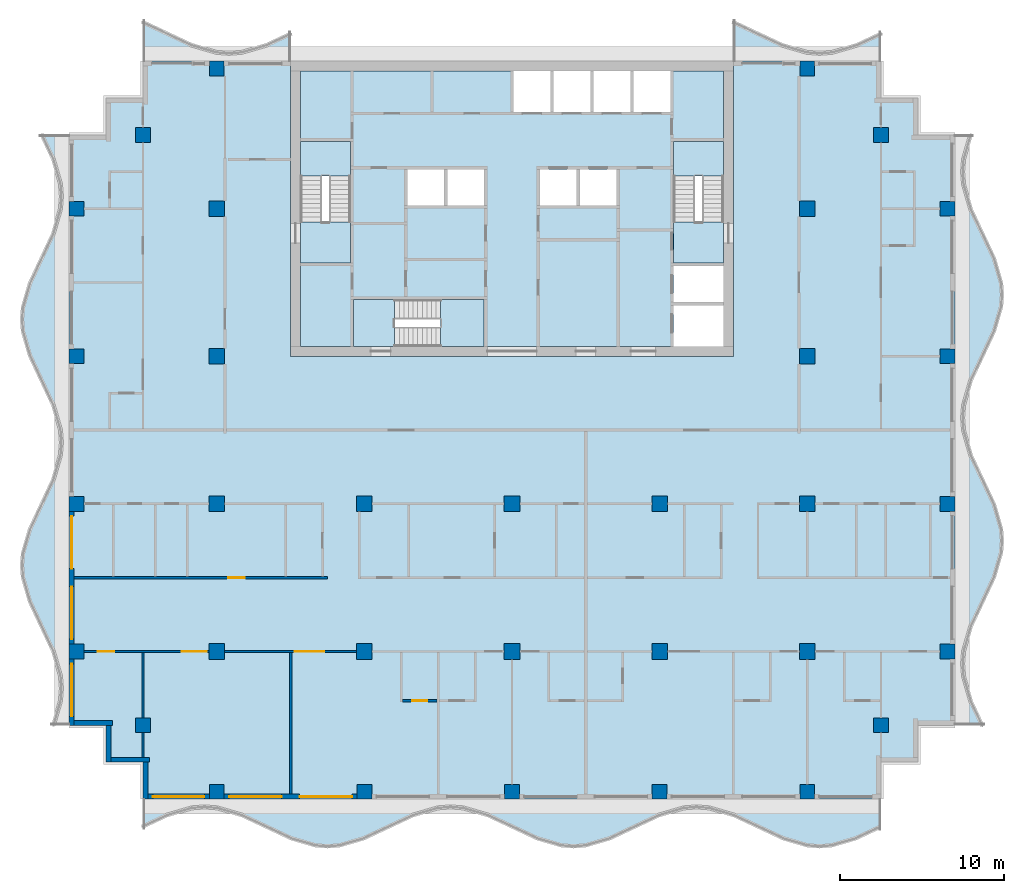
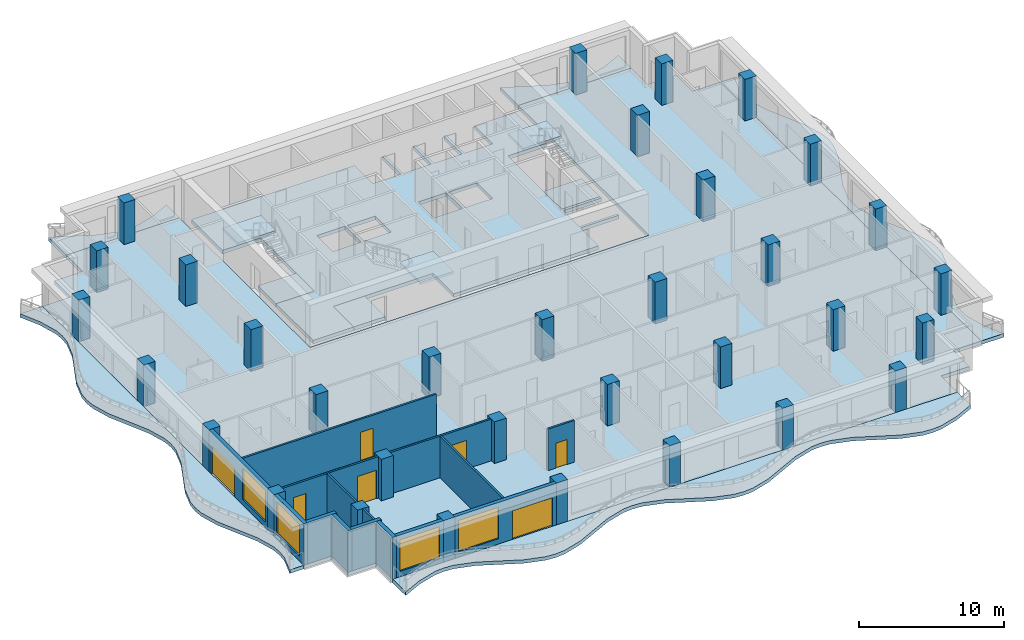
# One storey, part 1 of 11: 33 columns, 15 walls, 13 slabs, 7 doors, 4 windows, 11 openings, 3 elements without a shape of their own.
"""IFC4 building model written with IfcOpenShell, lengths in metres."""

from ifc_helpers import new_model, si_unit, direction, frame, frame_2d, origin, origin_2d, place, context, subcontext, project, spatial, polyline, rectangle, outline, extrude, material, layer, layer_set, material_profile, profile_set, type_object, element, fill, aggregate, save


model = new_model("IFC4")

# Units and contexts
model_context = context("Model", 3, precision=1e-05, world=origin(), true_north=direction((0.0, 1.0)))
body_context = subcontext(model_context, "Body", "Model", "MODEL_VIEW")
ifc_project = project(units=[si_unit("LENGTHUNIT", "METRE"), si_unit("AREAUNIT", "SQUARE_METRE"), si_unit("VOLUMEUNIT", "CUBIC_METRE"), si_unit("PLANEANGLEUNIT", "RADIAN"), si_unit("MASSUNIT", "GRAM", prefix="KILO")], contexts=[model_context])

# Site, building, storey
site_placement = place(None, origin())
site = spatial("IfcSite", under=ifc_project, at=site_placement, CompositionType="ELEMENT")
building_placement = place(site_placement, origin())
building = spatial("IfcBuilding", under=site, at=building_placement, Name="Orbiselva Terraces", CompositionType="ELEMENT")
storey_placement = place(building_placement, frame((0.0, 0.0, 257.8)))
storey = spatial("IfcBuildingStorey", under=building, at=storey_placement, Name="L65", CompositionType="ELEMENT", Elevation=257.8)

# Columns
ifc_material_1 = material(Name="Concrete C50/60", Category="concrete")
ifc_material_profile_1 = material_profile(ifc_material_1, rectangle(XDim=0.95, YDim=0.95, at=origin_2d()), Name="RC 950x950")
ifc_profile_set_1 = profile_set([ifc_material_profile_1], Name="Concrete C50/60")
column_type_1 = type_object("IfcColumnType", Name="COLUMN RC 950x950", PredefinedType="COLUMN", material=ifc_profile_set_1)
for number, where, z_axis, x_axis, name in (
    (1, (-18.0, -13.5, 0.0), (0.0, 0.0, 1.0), (1.0, 0.0, 0.0), "Column L65-01"),
    (2, (-18.0, -4.5, 0.0), (0.0, 0.0, 1.0), (1.0, 0.0, 0.0), "Column L65-03"),
    (3, (-18.0, 13.5, 0.0), (0.0, 0.0, 1.0), (1.0, 0.0, 0.0), "Column L65-04"),
    (4, (-18.0, 4.5, 0.0), (0.0, 0.0, 1.0), (1.0, 0.0, 0.0), "Column L65-06"),
    (5, (-9.0, -13.5, 0.0), (0.0, 0.0, 1.0), (1.0, 0.0, 0.0), "Column L65-13"),
    (6, (-9.0, -4.5, 0.0), (0.0, 0.0, 1.0), (1.0, 0.0, 0.0), "Column L65-15"),
    (7, (0.0, -13.5, 0.0), (0.0, 0.0, 1.0), (1.0, 0.0, 0.0), "Column L65-16"),
    (8, (0.0, -4.5, 0.0), (0.0, 0.0, 1.0), (1.0, 0.0, 0.0), "Column L65-18"),
    (9, (18.0, -13.5, 0.0), (0.0, 0.0, 1.0), (1.0, 0.0, 0.0), "Column L65-19"),
    (10, (18.0, -4.5, 0.0), (0.0, 0.0, 1.0), (1.0, 0.0, 0.0), "Column L65-21"),
    (11, (18.0, 13.5, 0.0), (0.0, 0.0, 1.0), (1.0, 0.0, 0.0), "Column L65-22"),
    (12, (18.0, 4.5, 0.0), (0.0, 0.0, 1.0), (1.0, 0.0, 0.0), "Column L65-24"),
    (13, (9.0, -13.5, 0.0), (0.0, 0.0, 1.0), (1.0, 0.0, 0.0), "Column L65-31"),
    (14, (9.0, -4.5, 0.0), (0.0, 0.0, 1.0), (1.0, 0.0, 0.0), "Column L65-33"),
):
    element("IfcColumn", number, at=place(storey_placement, frame(where, z_axis=z_axis, x_axis=x_axis)), inside=storey, type_object=column_type_1, Name=name, PredefinedType="COLUMN", context=body_context, shape_type="SweptSolid", body=[
        extrude(rectangle(XDim=0.95, YDim=0.95, at=origin_2d()), origin(), (0.0, 0.0, 1.0), 3.5),
    ])
ifc_material_profile_2 = material_profile(ifc_material_1, rectangle(XDim=0.9, YDim=0.9, at=origin_2d()), Name="RC 900x900")
ifc_profile_set_2 = profile_set([ifc_material_profile_2], Name="Concrete C50/60")
column_type_2 = type_object("IfcColumnType", Name="PERIMETER COLUMN RC 900x900", PredefinedType="COLUMN", material=ifc_profile_set_2)
for number, where, z_axis, x_axis, name in (
    (15, (-18.0, -22.05, 0.0), (0.0, 0.0, 1.0), (1.0, 0.0, 0.0), "Column L65-02"),
    (16, (-18.0, 22.05, 0.0), (0.0, 0.0, 1.0), (1.0, 0.0, 0.0), "Column L65-05"),
    (17, (-26.55, -13.5, 0.0), (0.0, 0.0, 1.0), (1.0, 0.0, 0.0), "Column L65-07"),
    (18, (-22.5, -18.0, 0.0), (0.0, 0.0, 1.0), (1.0, 0.0, 0.0), "Column L65-08"),
    (19, (-26.55, -4.5, 0.0), (0.0, 0.0, 1.0), (1.0, 0.0, 0.0), "Column L65-09"),
    (20, (-26.55, 13.5, 0.0), (0.0, 0.0, 1.0), (1.0, 0.0, 0.0), "Column L65-10"),
    (21, (-22.5, 18.0, 0.0), (0.0, 0.0, 1.0), (1.0, 0.0, 0.0), "Column L65-11"),
    (22, (-26.55, 4.5, 0.0), (0.0, 0.0, 1.0), (1.0, 0.0, 0.0), "Column L65-12"),
    (23, (-9.0, -22.05, 0.0), (0.0, 0.0, 1.0), (1.0, 0.0, 0.0), "Column L65-14"),
    (24, (0.0, -22.05, 0.0), (0.0, 0.0, 1.0), (1.0, 0.0, 0.0), "Column L65-17"),
    (25, (18.0, -22.05, 0.0), (0.0, 0.0, 1.0), (1.0, 0.0, 0.0), "Column L65-20"),
    (26, (18.0, 22.05, 0.0), (0.0, 0.0, 1.0), (1.0, 0.0, 0.0), "Column L65-23"),
    (27, (26.55, -13.5, 0.0), (0.0, 0.0, 1.0), (1.0, 0.0, 0.0), "Column L65-25"),
    (28, (22.5, -18.0, 0.0), (0.0, 0.0, 1.0), (1.0, 0.0, 0.0), "Column L65-26"),
    (29, (26.55, -4.5, 0.0), (0.0, 0.0, 1.0), (1.0, 0.0, 0.0), "Column L65-27"),
    (30, (26.55, 13.5, 0.0), (0.0, 0.0, 1.0), (1.0, 0.0, 0.0), "Column L65-28"),
    (31, (22.5, 18.0, 0.0), (0.0, 0.0, 1.0), (1.0, 0.0, 0.0), "Column L65-29"),
    (32, (26.55, 4.5, 0.0), (0.0, 0.0, 1.0), (1.0, 0.0, 0.0), "Column L65-30"),
    (33, (9.0, -22.05, 0.0), (0.0, 0.0, 1.0), (1.0, 0.0, 0.0), "Column L65-32"),
):
    element("IfcColumn", number, at=place(storey_placement, frame(where, z_axis=z_axis, x_axis=x_axis)), inside=storey, type_object=column_type_2, Name=name, PredefinedType="COLUMN", context=body_context, shape_type="SweptSolid", body=[
        extrude(rectangle(XDim=0.9, YDim=0.9, at=origin_2d()), origin(), (0.0, 0.0, 1.0), 3.5),
    ])

# Slabs
ifc_material_2 = material(Name="Concrete C40/50", Category="concrete")
ifc_layer_1 = layer(ifc_material_2, 0.3)
ifc_layer_set_1 = layer_set([ifc_layer_1], Name="Concrete C40/50")
slab_type_1 = type_object("IfcSlabType", Name="CORE-SLAB-FLOOR-300", PredefinedType="FLOOR", material=ifc_layer_set_1)
slab_1_placement = place(storey_placement, frame((0.0, 0.0, -0.3)))
element("IfcSlab", 34, at=slab_1_placement, inside=storey, type_object=slab_type_1, Name="L65 S1 floor landing", PredefinedType="FLOOR", context=body_context, shape_type="SweptSolid", body=[
    extrude(outline(polyline([(-12.9, 12.7), (-9.85, 12.7), (-9.85, 10.2), (-12.9, 10.2), (-12.9, 12.7)])), origin(), (0.0, 0.0, 1.0), 0.3),
])
slab_2_placement = place(storey_placement, frame((0.0, 0.0, -0.3)))
element("IfcSlab", 35, at=slab_2_placement, inside=storey, type_object=slab_type_1, Name="L65 S2 floor landing", PredefinedType="FLOOR", context=body_context, shape_type="SweptSolid", body=[
    extrude(outline(polyline([(12.9, 12.7), (12.9, 10.2), (9.85, 10.2), (9.85, 12.7), (12.9, 12.7)])), origin(), (0.0, 0.0, 1.0), 0.3),
])
slab_3_placement = place(storey_placement, frame((0.0, 0.0, -0.3)))
element("IfcSlab", 36, at=slab_3_placement, inside=storey, type_object=slab_type_1, Name="L65 S3 floor landing", PredefinedType="FLOOR", context=body_context, shape_type="SweptSolid", body=[
    extrude(outline(polyline([(-7.15, 5.1), (-9.65, 5.1), (-9.65, 7.95), (-7.15, 7.95), (-7.15, 5.1)])), origin(), (0.0, 0.0, 1.0), 0.3),
])
slab_4_placement = place(storey_placement, frame((0.0, 0.0, -0.3)))
element("IfcSlab", 37, at=slab_4_placement, inside=storey, type_object=slab_type_1, Name="L65 core floor slab 1", PredefinedType="FLOOR", context=body_context, shape_type="SweptSolid", body=[
    extrude(outline(polyline([(-1.7, 5.1), (-1.7, 7.95), (-9.65, 7.95), (-9.65, 5.1), (-12.9, 5.1), (-12.9, 10.2), (-9.85, 10.2), (-9.85, 17.6), (-12.9, 17.6), (-12.9, 21.9), (0.1, 21.9), (0.1, 19.4), (2.3375, 19.4), (2.3375, 21.9), (2.5375, 21.9), (2.5375, 19.4), (4.775, 19.4), (4.775, 21.9), (4.975, 21.9), (4.975, 19.4), (7.2125, 19.4), (7.2125, 21.9), (7.4125, 21.9), (7.4125, 19.4), (9.65, 19.4), (9.65, 21.9), (12.9, 21.9), (12.9, 17.6), (9.85, 17.6), (9.85, 10.2), (12.9, 10.2), (12.9, 10.0), (9.85, 10.0), (9.85, 7.8), (12.9, 7.8), (12.9, 7.6), (9.85, 7.6), (9.85, 5.1), (-1.7, 5.1)]), holes=[polyline([(-4.1375, 13.7), (-4.1375, 15.9), (-6.375, 15.9), (-6.375, 13.7), (-4.1375, 13.7)]), polyline([(-1.7, 13.7), (-1.7, 15.9), (-3.9375, 15.9), (-3.9375, 13.7), (-1.7, 13.7)]), polyline([(3.9375, 15.9), (1.7, 15.9), (1.7, 13.7), (3.9375, 13.7), (3.9375, 15.9)]), polyline([(6.375, 13.7), (6.375, 15.9), (4.1375, 15.9), (4.1375, 13.7), (6.375, 13.7)])]), origin(), (0.0, 0.0, 1.0), 0.3),
])

# Stair, slab
stair_type_1 = type_object("IfcStairType", Name="CORE-STAIR-1300", PredefinedType="HALF_TURN_STAIR", material=ifc_material_2)
stair_1_placement = place(storey_placement, origin())
stair_1 = element("IfcStair", 38, at=stair_1_placement, inside=storey, type_object=stair_type_1, Name="L65 Exit Stair S1", PredefinedType="HALF_TURN_STAIR")
ifc_layer_2 = layer(ifc_material_2, 0.2)
ifc_layer_set_2 = layer_set([ifc_layer_2], Name="Concrete C40/50")
slab_type_2 = type_object("IfcSlabType", Name="CORE-STAIR-LANDING-200", PredefinedType="LANDING", material=ifc_layer_set_2)
slab_5_placement = place(storey_placement, frame((0.0, 0.0, 1.7)))
slab_5 = element("IfcSlab", 39, at=slab_5_placement, type_object=slab_type_2, Name="S1 landing 1", PredefinedType="LANDING", context=body_context, shape_type="SweptSolid", body=[
    extrude(outline(polyline([(-9.85, 15.5), (-9.85, 17.6), (-12.9, 17.6), (-12.9, 15.5), (-9.85, 15.5)])), origin(), (0.0, 0.0, 1.0), 0.2),
])
aggregate(stair_1, [slab_5])

stair_2_placement = place(storey_placement, origin())
stair_2 = element("IfcStair", 40, at=stair_2_placement, inside=storey, type_object=stair_type_1, Name="L65 Exit Stair S2", PredefinedType="HALF_TURN_STAIR")
slab_6_placement = place(storey_placement, frame((0.0, 0.0, 1.7)))
slab_6 = element("IfcSlab", 41, at=slab_6_placement, type_object=slab_type_2, Name="S2 landing 1", PredefinedType="LANDING", context=body_context, shape_type="SweptSolid", body=[
    extrude(outline(polyline([(12.9, 15.5), (12.9, 17.6), (9.85, 17.6), (9.85, 15.5), (12.9, 15.5)])), origin(), (0.0, 0.0, 1.0), 0.2),
])
aggregate(stair_2, [slab_6])

stair_type_2 = type_object("IfcStairType", Name="CORE-STAIR-1200", PredefinedType="HALF_TURN_STAIR", material=ifc_material_2)
stair_3_placement = place(storey_placement, origin())
stair_3 = element("IfcStair", 42, at=stair_3_placement, inside=storey, type_object=stair_type_2, Name="L65 Exit Stair S3", PredefinedType="HALF_TURN_STAIR")
slab_7_placement = place(storey_placement, frame((0.0, 0.0, 1.7)))
slab_7 = element("IfcSlab", 43, at=slab_7_placement, type_object=slab_type_2, Name="S3 landing 1", PredefinedType="LANDING", context=body_context, shape_type="SweptSolid", body=[
    extrude(outline(polyline([(-4.35, 5.1), (-1.7, 5.1), (-1.7, 7.95), (-4.35, 7.95), (-4.35, 5.1)])), origin(), (0.0, 0.0, 1.0), 0.2),
])
aggregate(stair_3, [slab_7])

# Slabs
ifc_layer_3 = layer(ifc_material_1, 0.3)
ifc_layer_set_3 = layer_set([ifc_layer_3], Name="Concrete C50/60")
slab_type_3 = type_object("IfcSlabType", Name="ENV-BALCONY-SLAB-300", PredefinedType="FLOOR", material=ifc_layer_set_3)
slab_8_placement = place(storey_placement, frame((0.0, 0.0, -0.3)))
element("IfcSlab", 44, at=slab_8_placement, inside=storey, type_object=slab_type_3, Name="Balcony slab L65 S", PredefinedType="FLOOR", context=body_context, shape_type="SweptSolid", body=[
    extrude(outline(polyline([(-22.5, -24.3), (-21.0, -23.594658), (-19.5, -23.158732), (-18.75, -23.1), (-18.0, -23.158732), (-16.5, -23.594658), (-13.5, -25.005342), (-12.0, -25.441268), (-11.25, -25.5), (-10.5, -25.441268), (-9.0, -25.005342), (-6.0, -23.594658), (-4.5, -23.158732), (-3.75, -23.1), (-3.0, -23.158732), (-1.5, -23.594658), (1.5, -25.005342), (3.0, -25.441268), (3.75, -25.5), (4.5, -25.441268), (6.0, -25.005342), (9.0, -23.594658), (10.5, -23.158732), (11.25, -23.1), (12.0, -23.158732), (13.5, -23.594658), (16.5, -25.005342), (18.0, -25.441268), (18.75, -25.5), (19.5, -25.441268), (21.0, -25.005342), (22.5, -24.3), (22.5, -22.5), (-22.5, -22.5), (-22.5, -24.3)])), origin(), (0.0, 0.0, 1.0), 0.3),
])
slab_9_placement = place(storey_placement, frame((0.0, 0.0, -0.3)))
element("IfcSlab", 45, at=slab_9_placement, inside=storey, type_object=slab_type_3, Name="Balcony slab L65 E", PredefinedType="FLOOR", context=body_context, shape_type="SweptSolid", body=[
    extrude(outline(polyline([(28.8, -18.0), (28.094658, -16.5), (27.658732, -15.0), (27.6, -14.25), (27.658732, -13.5), (28.094658, -12.0), (29.505342, -9.0), (29.941268, -7.5), (30.0, -6.75), (29.941268, -6.0), (29.505342, -4.5), (28.094658, -1.5), (27.658732, 0.0), (27.6, 0.75), (27.658732, 1.5), (28.094658, 3.0), (29.505342, 6.0), (29.941268, 7.5), (30.0, 8.25), (29.941268, 9.0), (29.505342, 10.5), (28.094658, 13.5), (27.658732, 15.0), (27.6, 15.75), (27.658732, 16.5), (28.094658, 18.0), (27.0, 18.0), (27.0, -18.0), (28.8, -18.0)])), origin(), (0.0, 0.0, 1.0), 0.3),
])
slab_10_placement = place(storey_placement, frame((0.0, 0.0, -0.3)))
element("IfcSlab", 46, at=slab_10_placement, inside=storey, type_object=slab_type_3, Name="Balcony slab L65 NE", PredefinedType="FLOOR", context=body_context, shape_type="SweptSolid", body=[
    extrude(outline(polyline([(22.5, 24.3), (21.0, 23.594658), (19.5, 23.158732), (18.75, 23.1), (18.0, 23.158732), (16.5, 23.594658), (13.5, 25.005342), (13.5, 22.5), (22.5, 22.5), (22.5, 24.3)])), origin(), (0.0, 0.0, 1.0), 0.3),
])
slab_11_placement = place(storey_placement, frame((0.0, 0.0, -0.3)))
element("IfcSlab", 47, at=slab_11_placement, inside=storey, type_object=slab_type_3, Name="Balcony slab L65 NW", PredefinedType="FLOOR", context=body_context, shape_type="SweptSolid", body=[
    extrude(outline(polyline([(-13.5, 24.3), (-15.0, 23.594658), (-16.5, 23.158732), (-17.25, 23.1), (-18.0, 23.158732), (-19.5, 23.594658), (-22.5, 25.005342), (-22.5, 22.5), (-13.5, 22.5), (-13.5, 24.3)])), origin(), (0.0, 0.0, 1.0), 0.3),
])
slab_12_placement = place(storey_placement, frame((0.0, 0.0, -0.3)))
element("IfcSlab", 48, at=slab_12_placement, inside=storey, type_object=slab_type_3, Name="Balcony slab L65 W", PredefinedType="FLOOR", context=body_context, shape_type="SweptSolid", body=[
    extrude(outline(polyline([(-28.8, 18.0), (-28.094658, 16.5), (-27.658732, 15.0), (-27.6, 14.25), (-27.658732, 13.5), (-28.094658, 12.0), (-29.505342, 9.0), (-29.941268, 7.5), (-30.0, 6.75), (-29.941268, 6.0), (-29.505342, 4.5), (-28.094658, 1.5), (-27.658732, 0.0), (-27.6, -0.75), (-27.658732, -1.5), (-28.094658, -3.0), (-29.505342, -6.0), (-29.941268, -7.5), (-30.0, -8.25), (-29.941268, -9.0), (-29.505342, -10.5), (-28.094658, -13.5), (-27.658732, -15.0), (-27.6, -15.75), (-27.658732, -16.5), (-28.094658, -18.0), (-27.0, -18.0), (-27.0, 18.0), (-28.8, 18.0)])), origin(), (0.0, 0.0, 1.0), 0.3),
])
ifc_layer_4 = layer(ifc_material_1, 0.3)
ifc_layer_set_4 = layer_set([ifc_layer_4], Name="Concrete C50/60")
slab_type_4 = type_object("IfcSlabType", Name="FLOOR SLAB 300", PredefinedType="FLOOR", material=ifc_layer_set_4)
slab_13_placement = place(storey_placement, frame((0.0, 0.0, -0.3)))
element("IfcSlab", 49, at=slab_13_placement, inside=storey, type_object=slab_type_4, Name="Floor slab L65", PredefinedType="FLOOR", context=body_context, shape_type="SweptSolid", body=[
    extrude(outline(polyline([(22.5, 22.5), (22.5, 20.25), (24.75, 20.25), (24.75, 18.0), (27.0, 18.0), (27.0, -18.0), (24.75, -18.0), (24.75, -20.25), (22.5, -20.25), (22.5, -22.5), (-22.5, -22.5), (-22.5, -20.25), (-24.75, -20.25), (-24.75, -18.0), (-27.0, -18.0), (-27.0, 18.0), (-24.75, 18.0), (-24.75, 20.25), (-22.5, 20.25), (-22.5, 22.5), (-13.5, 22.5), (-13.5, 4.5), (13.5, 4.5), (13.5, 22.5), (22.5, 22.5)])), origin(), (0.0, 0.0, 1.0), 0.3),
])

# Wall, opening, window
ifc_material_3 = material(Name="Terracotta cladding on masonry backing", Category="masonry")
ifc_layer_5 = layer(ifc_material_3, 0.3)
ifc_layer_set_5 = layer_set([ifc_layer_5], Name="Terracotta cladding on masonry backing")
wall_type_1 = type_object("IfcWallType", Name="ENV-WALL-TERRACOTTA-300", PredefinedType="SOLIDWALL", material=ifc_layer_set_5)
wall_1_placement = place(storey_placement, frame((-18.45, -22.35, 0.0), z_axis=(0.0, 0.0, 1.0), x_axis=(-1.0, 0.0, 0.0)))
wall_1 = element("IfcWall", 50, at=wall_1_placement, inside=storey, type_object=wall_type_1, Name="Facade wall L65 S", PredefinedType="SOLIDWALL", context=body_context, shape_type="SweptSolid", body=[
    extrude(rectangle(XDim=3.75, YDim=0.3, at=frame_2d((1.875, 0.0))), origin(), (0.0, 0.0, 1.0), 3.5),
])
opening_1_placement = place(wall_1_placement, frame((0.3, 0.0, 0.45)))
opening_1 = element("IfcOpeningElement", 51, at=opening_1_placement, cuts=wall_1, Name="Opening WN16", PredefinedType="OPENING", context=body_context, shape_type="SweptSolid", body=[
    extrude(rectangle(XDim=3.15, YDim=2.65, at=frame_2d((1.575, 1.325))), frame((0.0, 0.16, 0.0), z_axis=(0.0, -1.0, 0.0), x_axis=(1.0, 0.0, 0.0)), (0.0, 0.0, 1.0), 0.32),
])
ifc_material_4 = material(Name="Clear low-e glazing in aluminium frame", Category="aluminium")
window_type_1 = type_object("IfcWindowType", Name="WINDOW 3150 X 2650 S450", PartitioningType="TRIPLE_PANEL_VERTICAL", PredefinedType="WINDOW", material=ifc_material_4)
window_1_placement = place(opening_1_placement, origin())
window_1 = element("IfcWindow", 52, at=window_1_placement, inside=storey, type_object=window_type_1, Name="Window L65 S", OverallHeight=2.65, OverallWidth=3.15, PartitioningType="SINGLE_PANEL", PredefinedType="WINDOW", context=body_context, shape_type="SweptSolid", body=[
    extrude(rectangle(XDim=3.15, YDim=2.65, at=frame_2d((1.575, 1.325))), frame((0.0, 0.03, 0.0), z_axis=(0.0, -1.0, 0.0), x_axis=(1.0, 0.0, 0.0)), (0.0, 0.0, 1.0), 0.06),
])
fill(opening_1, window_1)

# Wall, openings, door, window
wall_2_placement = place(storey_placement, frame((-9.45, -22.35, 0.0), z_axis=(0.0, 0.0, 1.0), x_axis=(-1.0, 0.0, 0.0)))
wall_2 = element("IfcWall", 53, at=wall_2_placement, inside=storey, type_object=wall_type_1, Name="Facade wall L65 S", PredefinedType="SOLIDWALL", context=body_context, shape_type="SweptSolid", body=[
    extrude(rectangle(XDim=8.1, YDim=0.3, at=frame_2d((4.05, 0.0))), origin(), (0.0, 0.0, 1.0), 3.5),
])
opening_2_placement = place(wall_2_placement, frame((4.6, 0.0, 0.45)))
opening_2 = element("IfcOpeningElement", 54, at=opening_2_placement, cuts=wall_2, Name="Opening WN17", PredefinedType="OPENING", context=body_context, shape_type="SweptSolid", body=[
    extrude(rectangle(XDim=3.2, YDim=2.65, at=frame_2d((1.6, 1.325))), frame((0.0, 0.16, 0.0), z_axis=(0.0, -1.0, 0.0), x_axis=(1.0, 0.0, 0.0)), (0.0, 0.0, 1.0), 0.32),
])
opening_3_placement = place(wall_2_placement, frame((0.3, 0.0, 0.0)))
opening_3 = element("IfcOpeningElement", 55, at=opening_3_placement, cuts=wall_2, Name="Opening Z5-B-E13", PredefinedType="OPENING", context=body_context, shape_type="SweptSolid", body=[
    extrude(rectangle(XDim=3.2, YDim=2.4, at=frame_2d((1.6, 1.2))), frame((0.0, 0.16, 0.0), z_axis=(0.0, -1.0, 0.0), x_axis=(1.0, 0.0, 0.0)), (0.0, 0.0, 1.0), 0.32),
])
door_type_1 = type_object("IfcDoorType", Name="BALCONY DOOR 3200 X 2400", OperationType="DOUBLE_DOOR_SLIDING", PredefinedType="DOOR", material=ifc_material_4)
door_1_placement = place(opening_3_placement, origin())
door_1 = element("IfcDoor", 56, at=door_1_placement, inside=storey, type_object=door_type_1, Name="Z5-B-E13", OperationType="SINGLE_SWING_LEFT", OverallHeight=2.4, OverallWidth=3.2, PredefinedType="DOOR", context=body_context, shape_type="SweptSolid", body=[
    extrude(rectangle(XDim=3.2, YDim=2.4, at=frame_2d((1.6, 1.2))), frame((0.0, 0.025, 0.0), z_axis=(0.0, -1.0, 0.0), x_axis=(1.0, 0.0, 0.0)), (0.0, 0.0, 1.0), 0.05),
])
fill(opening_3, door_1)
window_type_2 = type_object("IfcWindowType", Name="WINDOW 3200 X 2650 S450", PartitioningType="TRIPLE_PANEL_VERTICAL", PredefinedType="WINDOW", material=ifc_material_4)
window_2_placement = place(opening_2_placement, origin())
window_2 = element("IfcWindow", 57, at=window_2_placement, inside=storey, type_object=window_type_2, Name="Window L65 S", OverallHeight=2.65, OverallWidth=3.2, PartitioningType="SINGLE_PANEL", PredefinedType="WINDOW", context=body_context, shape_type="SweptSolid", body=[
    extrude(rectangle(XDim=3.2, YDim=2.65, at=frame_2d((1.6, 1.325))), frame((0.0, 0.03, 0.0), z_axis=(0.0, -1.0, 0.0), x_axis=(1.0, 0.0, 0.0)), (0.0, 0.0, 1.0), 0.06),
])
fill(opening_2, window_2)

wall_3_placement = place(storey_placement, frame((-26.85, -13.05, 0.0), z_axis=(0.0, 0.0, 1.0), x_axis=(0.0, 1.0, 0.0)))
wall_3 = element("IfcWall", 58, at=wall_3_placement, inside=storey, type_object=wall_type_1, Name="Facade wall L65 W", PredefinedType="SOLIDWALL", context=body_context, shape_type="SweptSolid", body=[
    extrude(rectangle(XDim=8.1, YDim=0.3, at=frame_2d((4.05, 0.0))), origin(), (0.0, 0.0, 1.0), 3.5),
])
opening_4_placement = place(wall_3_placement, frame((4.6, 0.0, 0.0)))
opening_4 = element("IfcOpeningElement", 59, at=opening_4_placement, cuts=wall_3, Name="Opening Z5-B-E22", PredefinedType="OPENING", context=body_context, shape_type="SweptSolid", body=[
    extrude(rectangle(XDim=3.2, YDim=2.4, at=frame_2d((1.6, 1.2))), frame((0.0, 0.16, 0.0), z_axis=(0.0, -1.0, 0.0), x_axis=(1.0, 0.0, 0.0)), (0.0, 0.0, 1.0), 0.32),
])
opening_5_placement = place(wall_3_placement, frame((0.3, 0.0, 0.45)))
opening_5 = element("IfcOpeningElement", 60, at=opening_5_placement, cuts=wall_3, Name="Opening WN17", PredefinedType="OPENING", context=body_context, shape_type="SweptSolid", body=[
    extrude(rectangle(XDim=3.2, YDim=2.65, at=frame_2d((1.6, 1.325))), frame((0.0, 0.16, 0.0), z_axis=(0.0, -1.0, 0.0), x_axis=(1.0, 0.0, 0.0)), (0.0, 0.0, 1.0), 0.32),
])
door_2_placement = place(opening_4_placement, origin())
door_2 = element("IfcDoor", 61, at=door_2_placement, inside=storey, type_object=door_type_1, Name="Z5-B-E22", OperationType="SINGLE_SWING_LEFT", OverallHeight=2.4, OverallWidth=3.2, PredefinedType="DOOR", context=body_context, shape_type="SweptSolid", body=[
    extrude(rectangle(XDim=3.2, YDim=2.4, at=frame_2d((1.6, 1.2))), frame((0.0, 0.025, 0.0), z_axis=(0.0, -1.0, 0.0), x_axis=(1.0, 0.0, 0.0)), (0.0, 0.0, 1.0), 0.05),
])
fill(opening_4, door_2)
window_3_placement = place(opening_5_placement, origin())
window_3 = element("IfcWindow", 62, at=window_3_placement, inside=storey, type_object=window_type_2, Name="Window L65 W", OverallHeight=2.65, OverallWidth=3.2, PartitioningType="SINGLE_PANEL", PredefinedType="WINDOW", context=body_context, shape_type="SweptSolid", body=[
    extrude(rectangle(XDim=3.2, YDim=2.65, at=frame_2d((1.6, 1.325))), frame((0.0, 0.03, 0.0), z_axis=(0.0, -1.0, 0.0), x_axis=(1.0, 0.0, 0.0)), (0.0, 0.0, 1.0), 0.06),
])
fill(opening_5, window_3)

# Wall, opening, window
wall_4_placement = place(storey_placement, frame((-26.85, -18.0, 0.0), z_axis=(0.0, 0.0, 1.0), x_axis=(0.0, 1.0, 0.0)))
wall_4 = element("IfcWall", 63, at=wall_4_placement, inside=storey, type_object=wall_type_1, Name="Facade wall L65 W", PredefinedType="SOLIDWALL", context=body_context, shape_type="SweptSolid", body=[
    extrude(rectangle(XDim=4.05, YDim=0.3, at=frame_2d((2.025, 0.0))), origin(), (0.0, 0.0, 1.0), 3.5),
])
opening_6_placement = place(wall_4_placement, frame((0.55, 0.0, 0.45)))
opening_6 = element("IfcOpeningElement", 64, at=opening_6_placement, cuts=wall_4, Name="Opening WN17", PredefinedType="OPENING", context=body_context, shape_type="SweptSolid", body=[
    extrude(rectangle(XDim=3.2, YDim=2.65, at=frame_2d((1.6, 1.325))), frame((0.0, 0.16, 0.0), z_axis=(0.0, -1.0, 0.0), x_axis=(1.0, 0.0, 0.0)), (0.0, 0.0, 1.0), 0.32),
])
window_4_placement = place(opening_6_placement, origin())
window_4 = element("IfcWindow", 65, at=window_4_placement, inside=storey, type_object=window_type_2, Name="Window L65 W", OverallHeight=2.65, OverallWidth=3.2, PartitioningType="SINGLE_PANEL", PredefinedType="WINDOW", context=body_context, shape_type="SweptSolid", body=[
    extrude(rectangle(XDim=3.2, YDim=2.65, at=frame_2d((1.6, 1.325))), frame((0.0, 0.03, 0.0), z_axis=(0.0, -1.0, 0.0), x_axis=(1.0, 0.0, 0.0)), (0.0, 0.0, 1.0), 0.06),
])
fill(opening_6, window_4)

# Walls
wall_5_placement = place(storey_placement, frame((-24.35, -17.85, 0.0), z_axis=(0.0, 0.0, 1.0), x_axis=(-1.0, 0.0, 0.0)))
element("IfcWall", 66, at=wall_5_placement, inside=storey, type_object=wall_type_1, Name="Facade wall L65 STEP", PredefinedType="SOLIDWALL", context=body_context, shape_type="SweptSolid", body=[
    extrude(rectangle(XDim=2.35, YDim=0.3, at=frame_2d((1.175, 0.0))), origin(), (0.0, 0.0, 1.0), 3.5),
])
wall_6_placement = place(storey_placement, frame((-24.6, -20.25, 0.0), z_axis=(0.0, 0.0, 1.0), x_axis=(0.0, 1.0, 0.0)))
element("IfcWall", 67, at=wall_6_placement, inside=storey, type_object=wall_type_1, Name="Facade wall L65 STEP", PredefinedType="SOLIDWALL", context=body_context, shape_type="SweptSolid", body=[
    extrude(rectangle(XDim=2.25, YDim=0.3, at=frame_2d((1.125, 0.0))), origin(), (0.0, 0.0, 1.0), 3.5),
])
wall_7_placement = place(storey_placement, frame((-22.1, -20.1, 0.0), z_axis=(0.0, 0.0, 1.0), x_axis=(-1.0, 0.0, 0.0)))
element("IfcWall", 68, at=wall_7_placement, inside=storey, type_object=wall_type_1, Name="Facade wall L65 STEP", PredefinedType="SOLIDWALL", context=body_context, shape_type="SweptSolid", body=[
    extrude(rectangle(XDim=2.35, YDim=0.3, at=frame_2d((1.175, 0.0))), origin(), (0.0, 0.0, 1.0), 3.5),
])
wall_8_placement = place(storey_placement, frame((-22.35, -22.5, 0.0), z_axis=(0.0, 0.0, 1.0), x_axis=(0.0, 1.0, 0.0)))
element("IfcWall", 69, at=wall_8_placement, inside=storey, type_object=wall_type_1, Name="Facade wall L65 STEP", PredefinedType="SOLIDWALL", context=body_context, shape_type="SweptSolid", body=[
    extrude(rectangle(XDim=2.25, YDim=0.3, at=frame_2d((1.125, 0.0))), origin(), (0.0, 0.0, 1.0), 3.5),
])

# Wall, opening, door
ifc_material_5 = material(Name="Plasterboard on steel stud partition", Category="steel")
ifc_layer_6 = layer(ifc_material_5, 0.15)
ifc_layer_set_6 = layer_set([ifc_layer_6], Name="Plasterboard on steel stud partition")
wall_type_2 = type_object("IfcWallType", Name="UNIT-PARTITION-150", PredefinedType="PARTITIONING", material=ifc_layer_set_6)
wall_9_placement = place(storey_placement, frame((-6.675, -16.5, 0.0), z_axis=(0.0, 0.0, 1.0), x_axis=(1.0, 0.0, 0.0)))
wall_9 = element("IfcWall", 70, at=wall_9_placement, inside=storey, type_object=wall_type_2, Name="PARTITION L65-001", PredefinedType="PARTITIONING", context=body_context, shape_type="SweptSolid", body=[
    extrude(rectangle(XDim=2.1, YDim=0.15, at=frame_2d((1.05, 0.0))), origin(), (0.0, 0.0, 1.0), 3.5),
])
opening_7_placement = place(wall_9_placement, frame((0.6, 0.0, 0.0)))
opening_7 = element("IfcOpeningElement", 71, at=opening_7_placement, cuts=wall_9, Name="Opening Z5-B-27", PredefinedType="OPENING", context=body_context, shape_type="SweptSolid", body=[
    extrude(rectangle(XDim=0.9, YDim=2.1, at=frame_2d((0.45, 1.05))), frame((0.0, 0.085, 0.0), z_axis=(0.0, -1.0, 0.0), x_axis=(1.0, 0.0, 0.0)), (0.0, 0.0, 1.0), 0.17),
])
ifc_material_6 = material(Name="Painted timber door leaf", Category="wood")
door_type_2 = type_object("IfcDoorType", Name="BATH DOOR 900", OperationType="NOTDEFINED", PredefinedType="DOOR", material=ifc_material_6)
door_3_placement = place(opening_7_placement, origin())
door_3 = element("IfcDoor", 72, at=door_3_placement, inside=storey, type_object=door_type_2, Name="Z5-B-27", OperationType="SINGLE_SWING_LEFT", OverallHeight=2.1, OverallWidth=0.9, PredefinedType="DOOR", context=body_context, shape_type="SweptSolid", body=[
    extrude(rectangle(XDim=0.9, YDim=2.1, at=frame_2d((0.45, 1.05))), frame((0.0, 0.025, 0.0), z_axis=(0.0, -1.0, 0.0), x_axis=(1.0, 0.0, 0.0)), (0.0, 0.0, 1.0), 0.05),
])
fill(opening_7, door_3)

# Wall, openings, doors
wall_10_placement = place(storey_placement, frame((-18.475, -13.5, 0.0), z_axis=(0.0, 0.0, 1.0), x_axis=(-1.0, 0.0, 0.0)))
wall_10 = element("IfcWall", 73, at=wall_10_placement, inside=storey, type_object=wall_type_2, Name="PARTITION L65-007", PredefinedType="PARTITIONING", context=body_context, shape_type="SweptSolid", body=[
    extrude(rectangle(XDim=7.625, YDim=0.15, at=frame_2d((3.8125, 0.0))), origin(), (0.0, 0.0, 1.0), 3.5),
])
opening_8_placement = place(wall_10_placement, frame((5.775, 0.0, 0.0)))
opening_8 = element("IfcOpeningElement", 74, at=opening_8_placement, cuts=wall_10, Name="Opening Z5-B-24", PredefinedType="OPENING", context=body_context, shape_type="SweptSolid", body=[
    extrude(rectangle(XDim=1.0, YDim=2.4, at=frame_2d((0.5, 1.2))), frame((0.0, 0.085, 0.0), z_axis=(0.0, -1.0, 0.0), x_axis=(1.0, 0.0, 0.0)), (0.0, 0.0, 1.0), 0.17),
])
opening_9_placement = place(wall_10_placement, frame((0.15, 0.0, 0.0)))
opening_9 = element("IfcOpeningElement", 75, at=opening_9_placement, cuts=wall_10, Name="Opening Z5-B-25", PredefinedType="OPENING", context=body_context, shape_type="SweptSolid", body=[
    extrude(rectangle(XDim=1.5, YDim=2.4, at=frame_2d((0.75, 1.2))), frame((0.0, 0.085, 0.0), z_axis=(0.0, -1.0, 0.0), x_axis=(1.0, 0.0, 0.0)), (0.0, 0.0, 1.0), 0.17),
])
door_type_3 = type_object("IfcDoorType", Name="DOUBLE DOOR 1500", OperationType="NOTDEFINED", PredefinedType="DOOR", material=ifc_material_6)
door_4_placement = place(opening_9_placement, origin())
door_4 = element("IfcDoor", 76, at=door_4_placement, inside=storey, type_object=door_type_3, Name="Z5-B-25", OperationType="DOUBLE_DOOR_SINGLE_SWING", OverallHeight=2.4, OverallWidth=1.5, PredefinedType="DOOR", context=body_context, shape_type="SweptSolid", body=[
    extrude(rectangle(XDim=1.5, YDim=2.4, at=frame_2d((0.75, 1.2))), frame((0.0, 0.025, 0.0), z_axis=(0.0, -1.0, 0.0), x_axis=(1.0, 0.0, 0.0)), (0.0, 0.0, 1.0), 0.05),
])
fill(opening_9, door_4)
door_type_4 = type_object("IfcDoorType", Name="ROOM DOOR 1000", OperationType="NOTDEFINED", PredefinedType="DOOR", material=ifc_material_6)
door_5_placement = place(opening_8_placement, origin())
door_5 = element("IfcDoor", 77, at=door_5_placement, inside=storey, type_object=door_type_4, Name="Z5-B-24", OperationType="SINGLE_SWING_RIGHT", OverallHeight=2.4, OverallWidth=1.0, PredefinedType="DOOR", context=body_context, shape_type="SweptSolid", body=[
    extrude(rectangle(XDim=1.0, YDim=2.4, at=frame_2d((0.5, 1.2))), frame((0.0, 0.025, 0.0), z_axis=(0.0, -1.0, 0.0), x_axis=(1.0, 0.0, 0.0)), (0.0, 0.0, 1.0), 0.05),
])
fill(opening_8, door_5)

# Wall, opening, door
wall_11_placement = place(storey_placement, frame((-9.475, -13.5, 0.0), z_axis=(0.0, 0.0, 1.0), x_axis=(-1.0, 0.0, 0.0)))
wall_11 = element("IfcWall", 78, at=wall_11_placement, inside=storey, type_object=wall_type_2, Name="PARTITION L65-008", PredefinedType="PARTITIONING", context=body_context, shape_type="SweptSolid", body=[
    extrude(rectangle(XDim=8.05, YDim=0.15, at=frame_2d((4.025, 0.0))), origin(), (0.0, 0.0, 1.0), 3.5),
])
opening_10_placement = place(wall_11_placement, frame((1.975, 0.0, 0.0)))
opening_10 = element("IfcOpeningElement", 79, at=opening_10_placement, cuts=wall_11, Name="Opening Z5-B-26", PredefinedType="OPENING", context=body_context, shape_type="SweptSolid", body=[
    extrude(rectangle(XDim=1.8, YDim=2.4, at=frame_2d((0.9, 1.2))), frame((0.0, 0.085, 0.0), z_axis=(0.0, -1.0, 0.0), x_axis=(1.0, 0.0, 0.0)), (0.0, 0.0, 1.0), 0.17),
])
door_type_5 = type_object("IfcDoorType", Name="DOUBLE DOOR 1800", OperationType="NOTDEFINED", PredefinedType="DOOR", material=ifc_material_6)
door_6_placement = place(opening_10_placement, origin())
door_6 = element("IfcDoor", 80, at=door_6_placement, inside=storey, type_object=door_type_5, Name="Z5-B-26", OperationType="DOUBLE_DOOR_SINGLE_SWING", OverallHeight=2.4, OverallWidth=1.8, PredefinedType="DOOR", context=body_context, shape_type="SweptSolid", body=[
    extrude(rectangle(XDim=1.8, YDim=2.4, at=frame_2d((0.9, 1.2))), frame((0.0, 0.025, 0.0), z_axis=(0.0, -1.0, 0.0), x_axis=(1.0, 0.0, 0.0)), (0.0, 0.0, 1.0), 0.05),
])
fill(opening_10, door_6)

wall_12_placement = place(storey_placement, frame((-26.7, -9.0, 0.0), z_axis=(0.0, 0.0, 1.0), x_axis=(1.0, 0.0, 0.0)))
wall_12 = element("IfcWall", 81, at=wall_12_placement, inside=storey, type_object=wall_type_2, Name="PARTITION L65-014", PredefinedType="PARTITIONING", context=body_context, shape_type="SweptSolid", body=[
    extrude(rectangle(XDim=15.45, YDim=0.15, at=frame_2d((7.725, 0.0))), origin(), (0.0, 0.0, 1.0), 3.5),
])
opening_11_placement = place(wall_12_placement, frame((9.4, 0.0, 0.0)))
opening_11 = element("IfcOpeningElement", 82, at=opening_11_placement, cuts=wall_12, Name="Opening Z5-B-18", PredefinedType="OPENING", context=body_context, shape_type="SweptSolid", body=[
    extrude(rectangle(XDim=1.0, YDim=2.4, at=frame_2d((0.5, 1.2))), frame((0.0, 0.085, 0.0), z_axis=(0.0, -1.0, 0.0), x_axis=(1.0, 0.0, 0.0)), (0.0, 0.0, 1.0), 0.17),
])
door_7_placement = place(opening_11_placement, origin())
door_7 = element("IfcDoor", 83, at=door_7_placement, inside=storey, type_object=door_type_4, Name="Z5-B-18", OperationType="SINGLE_SWING_RIGHT", OverallHeight=2.4, OverallWidth=1.0, PredefinedType="DOOR", context=body_context, shape_type="SweptSolid", body=[
    extrude(rectangle(XDim=1.0, YDim=2.4, at=frame_2d((0.5, 1.2))), frame((0.0, 0.025, 0.0), z_axis=(0.0, -1.0, 0.0), x_axis=(1.0, 0.0, 0.0)), (0.0, 0.0, 1.0), 0.05),
])
fill(opening_11, door_7)

# Walls
wall_13_placement = place(storey_placement, frame((-22.5, -19.95, 0.0), z_axis=(0.0, 0.0, 1.0), x_axis=(0.0, 1.0, 0.0)))
element("IfcWall", 84, at=wall_13_placement, inside=storey, type_object=wall_type_2, Name="PARTITION L65-042", PredefinedType="PARTITIONING", context=body_context, shape_type="SweptSolid", body=[
    extrude(rectangle(XDim=1.5, YDim=0.15, at=frame_2d((0.75, 0.0))), origin(), (0.0, 0.0, 1.0), 3.5),
])
wall_14_placement = place(storey_placement, frame((-22.5, -17.55, 0.0), z_axis=(0.0, 0.0, 1.0), x_axis=(0.0, 1.0, 0.0)))
element("IfcWall", 85, at=wall_14_placement, inside=storey, type_object=wall_type_2, Name="PARTITION L65-043", PredefinedType="PARTITIONING", context=body_context, shape_type="SweptSolid", body=[
    extrude(rectangle(XDim=3.975, YDim=0.15, at=frame_2d((1.9875, 0.0))), origin(), (0.0, 0.0, 1.0), 3.5),
])
wall_15_placement = place(storey_placement, frame((-13.5, -22.2, 0.0), z_axis=(0.0, 0.0, 1.0), x_axis=(0.0, 1.0, 0.0)))
element("IfcWall", 86, at=wall_15_placement, inside=storey, type_object=wall_type_2, Name="PARTITION L65-053", PredefinedType="PARTITIONING", context=body_context, shape_type="SweptSolid", body=[
    extrude(rectangle(XDim=8.625, YDim=0.15, at=frame_2d((4.3125, 0.0))), origin(), (0.0, 0.0, 1.0), 3.5),
])

save(model, "model.ifc")
